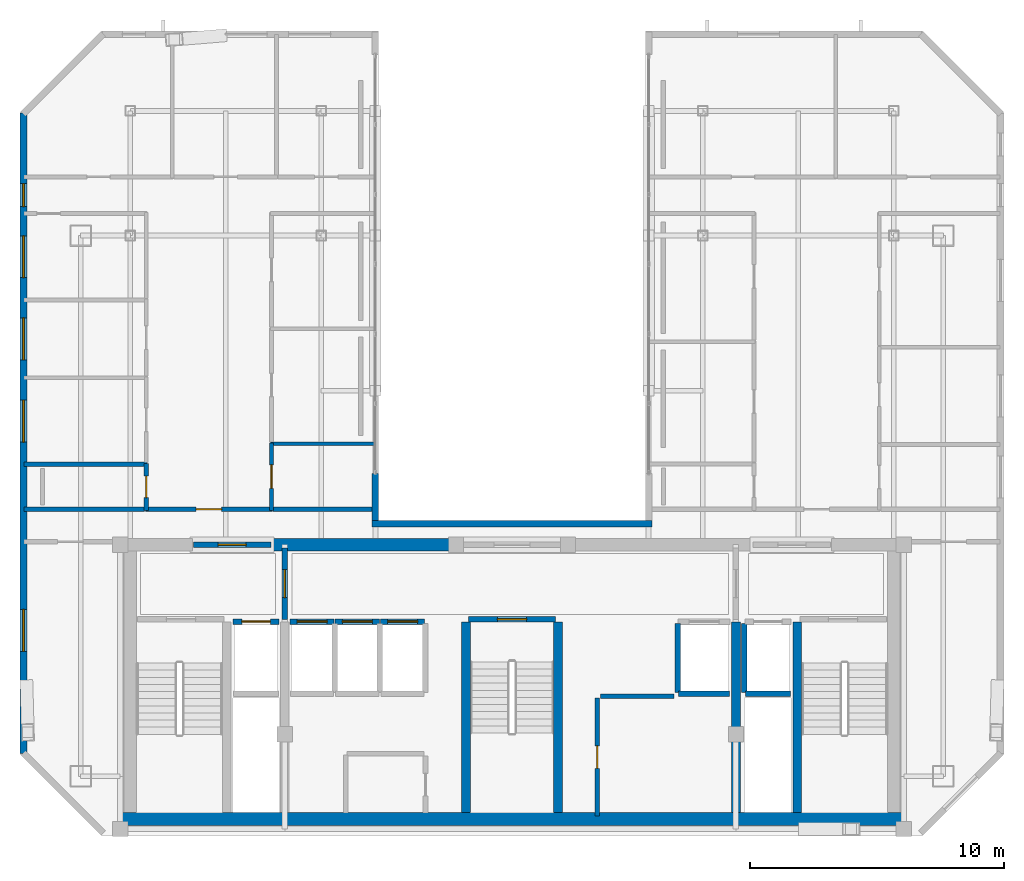
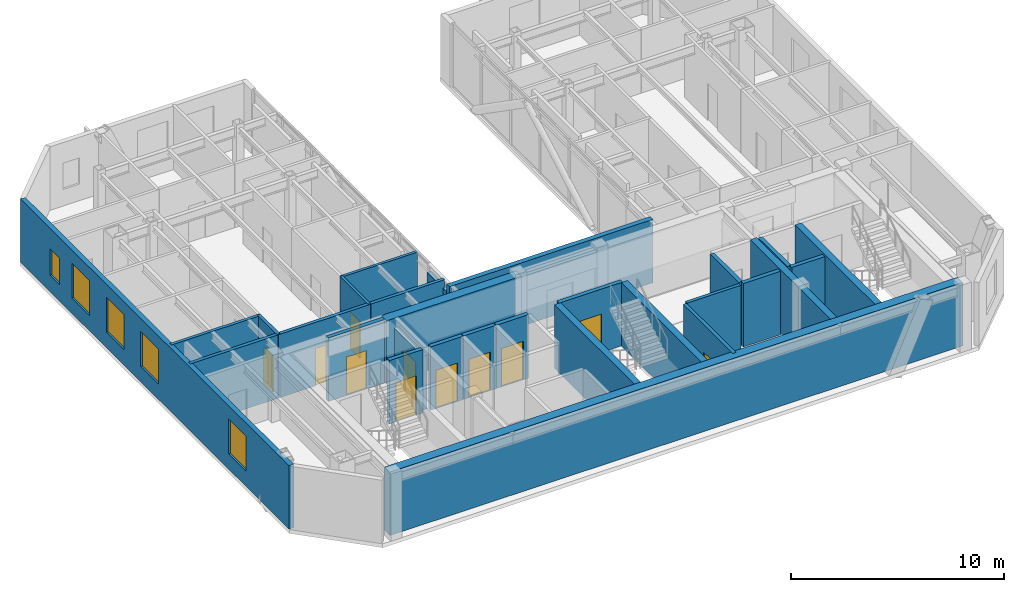
# One storey, part 14 of 18: 29 walls, 11 doors, 5 windows, 16 openings.
"""IFC4 building model written with IfcOpenShell, lengths in metres."""

from ifc_helpers import new_model, si_unit, direction, frame, frame_2d, origin, place, context, subcontext, project, spatial, rectangle, extrude, material, layer, layer_set, type_object, element, fill, save


model = new_model("IFC4")

# Units and contexts
model_context = context("Model", 3, precision=1e-05, world=origin(), true_north=direction((0.0, 1.0)))
body_context = subcontext(model_context, "Body", "Model", "MODEL_VIEW")
ifc_project = project(units=[si_unit("LENGTHUNIT", "METRE"), si_unit("AREAUNIT", "SQUARE_METRE"), si_unit("VOLUMEUNIT", "CUBIC_METRE"), si_unit("PLANEANGLEUNIT", "RADIAN"), si_unit("MASSUNIT", "GRAM", prefix="KILO")], contexts=[model_context])

# Site, building, storey
site_placement = place(None, origin())
site = spatial("IfcSite", under=ifc_project, at=site_placement, CompositionType="ELEMENT")
building_placement = place(site_placement, origin())
building = spatial("IfcBuilding", under=site, at=building_placement, Name="Ventersveld Concourse Tower", CompositionType="ELEMENT")
storey_placement = place(building_placement, frame((0.0, 0.0, 341.35009765625)))
storey = spatial("IfcBuildingStorey", under=building, at=storey_placement, Name="L84", CompositionType="ELEMENT", Elevation=341.35009765625)

# Walls
ifc_material_1 = material(Name="Concrete C50/60", Category="concrete")
ifc_layer_1 = layer(ifc_material_1, 0.35009765625)
ifc_layer_set_1 = layer_set([ifc_layer_1], Name="Concrete C50/60")
wall_type_1 = type_object("IfcWallType", Name="WL-CORE-350U", PredefinedType="SHEAR", material=ifc_layer_set_1)
for number, where, z_axis, x_axis, name in (
    (1, (26.93994140625, 0.919921875, 0.0), (0.0, 0.0, 1.0), (0.0, 1.0, 0.0), "L84 Core Internal Shear Web W-ST3-W"),
    (2, (30.56005859375, 0.919921875, 0.0), (0.0, 0.0, 1.0), (0.0, 1.0, 0.0), "L84 Core Internal Shear Web W-ST3-E"),
    (3, (37.550048828125, 0.919921875, 0.0), (0.0, 0.0, 1.0), (0.0, 1.0, 0.0), "L84 Core Internal Shear Web W-SVL-W"),
    (4, (39.9599609375, 0.919921875, 0.0), (0.0, 0.0, 1.0), (0.0, 1.0, 0.0), "L84 Core Internal Shear Web W-ST2-W"),
):
    element("IfcWall", number, at=place(storey_placement, frame(where, z_axis=z_axis, x_axis=x_axis)), inside=storey, type_object=wall_type_1, Name=name, PredefinedType="SHEAR", context=body_context, shape_type="SweptSolid", body=[
        extrude(rectangle(XDim=7.5, YDim=0.35009765625, at=frame_2d((3.75, 0.0))), origin(), (0.0, 0.0, 1.0), 3.6298828125),
    ])
ifc_layer_2 = layer(ifc_material_1, 0.5)
ifc_layer_set_2 = layer_set([ifc_layer_2], Name="Concrete C50/60")
wall_type_2 = type_object("IfcWallType", Name="WL-CORE-500", PredefinedType="SHEAR", material=ifc_layer_set_2)
wall_1_placement = place(storey_placement, frame((13.25, 0.669921875, 0.0), z_axis=(0.0, 0.0, 1.0), x_axis=(1.0, 0.0, 0.0)))
element("IfcWall", 5, at=wall_1_placement, inside=storey, type_object=wall_type_2, Name="L84 Rear Core South Shear Wall", PredefinedType="SHEAR", context=body_context, shape_type="SweptSolid", body=[
    extrude(rectangle(XDim=31.0, YDim=0.5, at=frame_2d((15.5, 0.0))), origin(), (0.0, 0.0, 1.0), 3.6298828125),
])
wall_2_placement = place(storey_placement, frame((19.300048828125, 11.449951171875, 0.0), z_axis=(0.0, 0.0, 1.0), x_axis=(1.0, 0.0, 0.0)))
element("IfcWall", 6, at=wall_2_placement, inside=storey, type_object=wall_type_2, Name="L84 Rear Core North Shear Wall NML", PredefinedType="SHEAR", context=body_context, shape_type="SweptSolid", body=[
    extrude(rectangle(XDim=7.300048828125, YDim=0.5, at=frame_2d((3.64990234375, 0.0))), origin(), (0.0, 0.0, 1.0), 3.6298828125),
])

# Wall, opening, door
ifc_material_2 = material(Name="Fire-rated autoclaved aerated masonry blockwork", Category="masonry")
ifc_layer_3 = layer(ifc_material_2, 0.179931640625)
ifc_layer_set_3 = layer_set([ifc_layer_3], Name="Fire-rated autoclaved aerated masonry blockwork")
wall_type_3 = type_object("IfcWallType", Name="WL-CORR-180", PredefinedType="PARTITIONING", material=ifc_layer_set_3)
wall_3_placement = place(storey_placement, frame((32.10009765625, 0.780029296875, 0.0), z_axis=(0.0, 0.0, 1.0), x_axis=(0.0, 1.0, 0.0)))
wall_3 = element("IfcWall", 7, at=wall_3_placement, inside=storey, type_object=wall_type_3, Name="L84 Core Passage Wall SP-L84-RECB2", PredefinedType="PARTITIONING", context=body_context, shape_type="SweptSolid", body=[
    extrude(rectangle(XDim=4.639892578125, YDim=0.179931640625, at=frame_2d((2.31982421875, 0.0))), origin(), (0.0, 0.0, 1.0), 3.6298828125),
])
opening_1_placement = place(wall_3_placement, frame((1.8798828125, 0.0, 0.0)))
opening_1 = element("IfcOpeningElement", 8, at=opening_1_placement, cuts=wall_3, Name="Opening FD5", PredefinedType="OPENING", context=body_context, shape_type="SweptSolid", body=[
    extrude(rectangle(XDim=0.8798828125, YDim=2.050048828125, at=frame_2d((0.43994140625, 1.02490234375))), frame((0.0, 0.10009765625, 0.0), z_axis=(0.0, -1.0, 0.0), x_axis=(1.0, 0.0, 0.0)), (0.0, 0.0, 1.0), 0.199951171875),
])
ifc_material_3 = material(Name="Galvanised painted steel", Category="steel")
door_type_1 = type_object("IfcDoorType", Name="DR-RISER-088", OperationType="NOTDEFINED", PredefinedType="DOOR", material=ifc_material_3)
door_1_placement = place(opening_1_placement, origin())
door_1 = element("IfcDoor", 9, at=door_1_placement, inside=storey, type_object=door_type_1, Name="L84 Core Room Door L84 Reclaimed Core Wellness Yoga Studio (CD-L84-3777)", OperationType="SINGLE_SWING_RIGHT", OverallHeight=2.050048828125, OverallWidth=0.8798828125, PredefinedType="DOOR", context=body_context, shape_type="SweptSolid", body=[
    extrude(rectangle(XDim=0.8798828125, YDim=2.050048828125, at=frame_2d((0.43994140625, 1.02490234375))), frame((0.0, 0.02490234375, 0.0), z_axis=(0.0, -1.0, 0.0), x_axis=(1.0, 0.0, 0.0)), (0.0, 0.0, 1.0), 0.050048828125),
])
fill(opening_1, door_1)

# Wall
wall_4_placement = place(storey_placement, frame((32.219970703125, 5.5, 0.0), z_axis=(0.0, 0.0, 1.0), x_axis=(1.0, 0.0, 0.0)))
element("IfcWall", 10, at=wall_4_placement, inside=storey, type_object=wall_type_3, Name="L84 Core Top Wall SP-L84-RECB2", PredefinedType="PARTITIONING", context=body_context, shape_type="SweptSolid", body=[
    extrude(rectangle(XDim=2.900146484375, YDim=0.179931640625, at=frame_2d((1.4501953125, 0.0))), origin(), (0.0, 0.0, 1.0), 3.6298828125),
])

# Wall, opening, door
wall_5_placement = place(storey_placement, frame((14.338623046875, 12.840087890625, 0.0), z_axis=(0.0, 0.0, 1.0), x_axis=(1.0, 0.0, 0.0)))
wall_5 = element("IfcWall", 11, at=wall_5_placement, inside=storey, type_object=wall_type_3, Name="L84 Interior Partition SP-L84-COR-W-SP-L84-84WA-LIV", PredefinedType="PARTITIONING", context=body_context, shape_type="SweptSolid", body=[
    extrude(rectangle(XDim=4.989990234375, YDim=0.179931640625, at=frame_2d((2.4951171875, 0.0))), origin(), (0.0, 0.0, 1.0), 3.6298828125),
])
opening_2_placement = place(wall_5_placement, frame((1.9951171875, 0.0, 0.0)))
opening_2 = element("IfcOpeningElement", 12, at=opening_2_placement, cuts=wall_5, Name="Opening FD3", PredefinedType="OPENING", context=body_context, shape_type="SweptSolid", body=[
    extrude(rectangle(XDim=1.0, YDim=2.14990234375, at=frame_2d((0.5, 1.074951171875))), frame((0.0, 0.10009765625, 0.0), z_axis=(0.0, -1.0, 0.0), x_axis=(1.0, 0.0, 0.0)), (0.0, 0.0, 1.0), 0.199951171875),
])
ifc_material_4 = material(Name="Solid-core hardwood veneer timber", Category="wood")
door_type_2 = type_object("IfcDoorType", Name="DR-FLAT-100", OperationType="NOTDEFINED", PredefinedType="DOOR", material=ifc_material_4)
door_2_placement = place(opening_2_placement, origin())
door_2 = element("IfcDoor", 13, at=door_2_placement, inside=storey, type_object=door_type_2, Name="L84 Interior Door SP-L84-COR-W to SP-L84-84WA-LIV (FD-L84-3779)", OperationType="SINGLE_SWING_LEFT", OverallHeight=2.14990234375, OverallWidth=1.0, PredefinedType="DOOR", context=body_context, shape_type="SweptSolid", body=[
    extrude(rectangle(XDim=1.0, YDim=2.14990234375, at=frame_2d((0.5, 1.074951171875))), frame((0.0, 0.02490234375, 0.0), z_axis=(0.0, -1.0, 0.0), x_axis=(1.0, 0.0, 0.0)), (0.0, 0.0, 1.0), 0.050048828125),
])
fill(opening_2, door_2)

# Walls
wall_6_placement = place(storey_placement, frame((9.569091796875, 12.840087890625, 0.0), z_axis=(0.0, 0.0, 1.0), x_axis=(1.0, 0.0, 0.0)))
element("IfcWall", 14, at=wall_6_placement, inside=storey, type_object=wall_type_3, Name="L84 Interior Partition SP-L84-COR-W-SP-L84-84WA-BATH", PredefinedType="PARTITIONING", context=body_context, shape_type="SweptSolid", body=[
    extrude(rectangle(XDim=4.739501953125, YDim=0.179931640625, at=frame_2d((2.36962890625, 0.0))), origin(), (0.0, 0.0, 1.0), 3.6298828125),
])
wall_7_placement = place(storey_placement, frame((19.358642578125, 12.840087890625, 0.0), z_axis=(0.0, 0.0, 1.0), x_axis=(1.0, 0.0, 0.0)))
element("IfcWall", 15, at=wall_7_placement, inside=storey, type_object=wall_type_3, Name="L84 Interior Partition SP-L84-COR-W-SP-L84-84WA-KIT", PredefinedType="PARTITIONING", context=body_context, shape_type="SweptSolid", body=[
    extrude(rectangle(XDim=3.991943359375, YDim=0.179931640625, at=frame_2d((1.99609375, 0.0))), origin(), (0.0, 0.0, 1.0), 3.6298828125),
])

# Wall, opening, door
ifc_layer_4 = layer(ifc_material_2, 0.219970703125)
ifc_layer_set_4 = layer_set([ifc_layer_4], Name="Fire-rated autoclaved aerated masonry blockwork")
wall_type_4 = type_object("IfcWallType", Name="WL-HOIST-220", PredefinedType="SOLIDWALL", material=ifc_layer_set_4)
wall_8_placement = place(storey_placement, frame((17.780029296875, 8.429931640625, 0.0), z_axis=(0.0, 0.0, 1.0), x_axis=(1.0, 0.0, 0.0)))
wall_8 = element("IfcWall", 16, at=wall_8_placement, inside=storey, type_object=wall_type_4, Name="L84 Lift Hoistway Front Wall FFL-01", PredefinedType="SOLIDWALL", context=body_context, shape_type="SweptSolid", body=[
    extrude(rectangle(XDim=1.820068359375, YDim=0.219970703125, at=frame_2d((0.91015625, 0.0))), origin(), (0.0, 0.0, 1.0), 3.6298828125),
])
opening_3_placement = place(wall_8_placement, frame((0.35009765625, 0.0, 0.0)))
opening_3 = element("IfcOpeningElement", 17, at=opening_3_placement, cuts=wall_8, Name="Opening LD1", PredefinedType="OPENING", context=body_context, shape_type="SweptSolid", body=[
    extrude(rectangle(XDim=1.1201171875, YDim=2.25, at=frame_2d((0.56005859375, 1.125))), frame((0.0, 0.1201171875, 0.0), z_axis=(0.0, -1.0, 0.0), x_axis=(1.0, 0.0, 0.0)), (0.0, 0.0, 1.0), 0.239990234375),
])
ifc_material_5 = material(Name="Brushed stainless steel 316", Category="steel")
door_type_3 = type_object("IfcDoorType", Name="LD-FF-112", OperationType="SLIDING_TO_LEFT", PredefinedType="DOOR", material=ifc_material_5)
door_3_placement = place(opening_3_placement, origin())
door_3 = element("IfcDoor", 18, at=door_3_placement, inside=storey, type_object=door_type_3, Name="L84 Lift landing door FFL-01 (LD-L84-FFL-01)", OperationType="SLIDING_TO_RIGHT", OverallHeight=2.25, OverallWidth=1.1201171875, PredefinedType="DOOR", context=body_context, shape_type="SweptSolid", body=[
    extrude(rectangle(XDim=1.1201171875, YDim=2.25, at=frame_2d((0.56005859375, 1.125))), frame((0.0, 0.02490234375, 0.0), z_axis=(0.0, -1.0, 0.0), x_axis=(1.0, 0.0, 0.0)), (0.0, 0.0, 1.0), 0.050048828125),
])
fill(opening_3, door_3)

# Walls
wall_9_placement = place(storey_placement, frame((37.919921875, 5.590087890625, 0.0), z_axis=(0.0, 0.0, 1.0), x_axis=(1.0, 0.0, 0.0)))
element("IfcWall", 19, at=wall_9_placement, inside=storey, type_object=wall_type_4, Name="L84 Lift Hoistway Back Wall FFL-02", PredefinedType="SOLIDWALL", context=body_context, shape_type="SweptSolid", body=[
    extrude(rectangle(XDim=1.780029296875, YDim=0.219970703125, at=frame_2d((0.89013671875, 0.0))), origin(), (0.0, 0.0, 1.0), 3.6298828125),
])
wall_10_placement = place(storey_placement, frame((37.8798828125, 5.64990234375, 0.0), z_axis=(0.0, 0.0, 1.0), x_axis=(0.0, 1.0, 0.0)))
element("IfcWall", 20, at=wall_10_placement, inside=storey, type_object=wall_type_4, Name="L84 Lift Hoistway Side Wall FFL-02W", PredefinedType="SOLIDWALL", context=body_context, shape_type="SweptSolid", body=[
    extrude(rectangle(XDim=2.7001953125, YDim=0.219970703125, at=frame_2d((1.35009765625, 0.0))), origin(), (0.0, 0.0, 1.0), 3.6298828125),
])
wall_11_placement = place(storey_placement, frame((35.300048828125, 5.590087890625, 0.0), z_axis=(0.0, 0.0, 1.0), x_axis=(1.0, 0.0, 0.0)))
element("IfcWall", 21, at=wall_11_placement, inside=storey, type_object=wall_type_4, Name="L84 Lift Hoistway Back Wall SVL-01", PredefinedType="SOLIDWALL", context=body_context, shape_type="SweptSolid", body=[
    extrude(rectangle(XDim=2.0, YDim=0.219970703125, at=frame_2d((1.0, 0.0))), origin(), (0.0, 0.0, 1.0), 3.6298828125),
])
wall_12_placement = place(storey_placement, frame((35.260009765625, 5.64990234375, 0.0), z_axis=(0.0, 0.0, 1.0), x_axis=(0.0, 1.0, 0.0)))
element("IfcWall", 22, at=wall_12_placement, inside=storey, type_object=wall_type_4, Name="L84 Lift Hoistway Side Wall SVL-01W", PredefinedType="SOLIDWALL", context=body_context, shape_type="SweptSolid", body=[
    extrude(rectangle(XDim=2.7001953125, YDim=0.219970703125, at=frame_2d((1.35009765625, 0.0))), origin(), (0.0, 0.0, 1.0), 3.6298828125),
])

# Wall, opening, door
wall_13_placement = place(storey_placement, frame((20.02001953125, 8.429931640625, 0.0), z_axis=(0.0, 0.0, 1.0), x_axis=(1.0, 0.0, 0.0)))
wall_13 = element("IfcWall", 23, at=wall_13_placement, inside=storey, type_object=wall_type_4, Name="L84 Lift Hoistway Front Wall PH-01", PredefinedType="SOLIDWALL", context=body_context, shape_type="SweptSolid", body=[
    extrude(rectangle(XDim=1.739990234375, YDim=0.219970703125, at=frame_2d((0.8701171875, 0.0))), origin(), (0.0, 0.0, 1.0), 3.6298828125),
])
opening_4_placement = place(wall_13_placement, frame((0.280029296875, 0.0, 0.0)))
opening_4 = element("IfcOpeningElement", 24, at=opening_4_placement, cuts=wall_13, Name="Opening LD2", PredefinedType="OPENING", context=body_context, shape_type="SweptSolid", body=[
    extrude(rectangle(XDim=1.179931640625, YDim=2.199951171875, at=frame_2d((0.58984375, 1.10009765625))), frame((0.0, 0.1201171875, 0.0), z_axis=(0.0, -1.0, 0.0), x_axis=(1.0, 0.0, 0.0)), (0.0, 0.0, 1.0), 0.239990234375),
])
door_type_4 = type_object("IfcDoorType", Name="LD-PAX-118", OperationType="SLIDING_TO_LEFT", PredefinedType="DOOR", material=ifc_material_5)
door_4_placement = place(opening_4_placement, origin())
door_4 = element("IfcDoor", 25, at=door_4_placement, inside=storey, type_object=door_type_4, Name="L84 Lift landing door PH-01 (LD-L84-PH-01)", OperationType="SLIDING_TO_LEFT", OverallHeight=2.199951171875, OverallWidth=1.179931640625, PredefinedType="DOOR", context=body_context, shape_type="SweptSolid", body=[
    extrude(rectangle(XDim=1.179931640625, YDim=2.199951171875, at=frame_2d((0.58984375, 1.10009765625))), frame((0.0, 0.02490234375, 0.0), z_axis=(0.0, -1.0, 0.0), x_axis=(1.0, 0.0, 0.0)), (0.0, 0.0, 1.0), 0.050048828125),
])
fill(opening_4, door_4)

wall_14_placement = place(storey_placement, frame((21.800048828125, 8.429931640625, 0.0), z_axis=(0.0, 0.0, 1.0), x_axis=(1.0, 0.0, 0.0)))
wall_14 = element("IfcWall", 26, at=wall_14_placement, inside=storey, type_object=wall_type_4, Name="L84 Lift Hoistway Front Wall PH-02", PredefinedType="SOLIDWALL", context=body_context, shape_type="SweptSolid", body=[
    extrude(rectangle(XDim=1.739990234375, YDim=0.219970703125, at=frame_2d((0.8701171875, 0.0))), origin(), (0.0, 0.0, 1.0), 3.6298828125),
])
opening_5_placement = place(wall_14_placement, frame((0.280029296875, 0.0, 0.0)))
opening_5 = element("IfcOpeningElement", 27, at=opening_5_placement, cuts=wall_14, Name="Opening LD2", PredefinedType="OPENING", context=body_context, shape_type="SweptSolid", body=[
    extrude(rectangle(XDim=1.179931640625, YDim=2.199951171875, at=frame_2d((0.58984375, 1.10009765625))), frame((0.0, 0.1201171875, 0.0), z_axis=(0.0, -1.0, 0.0), x_axis=(1.0, 0.0, 0.0)), (0.0, 0.0, 1.0), 0.239990234375),
])
door_5_placement = place(opening_5_placement, origin())
door_5 = element("IfcDoor", 28, at=door_5_placement, inside=storey, type_object=door_type_4, Name="L84 Lift landing door PH-02 (LD-L84-PH-02)", OperationType="SLIDING_TO_RIGHT", OverallHeight=2.199951171875, OverallWidth=1.179931640625, PredefinedType="DOOR", context=body_context, shape_type="SweptSolid", body=[
    extrude(rectangle(XDim=1.179931640625, YDim=2.199951171875, at=frame_2d((0.58984375, 1.10009765625))), frame((0.0, 0.02490234375, 0.0), z_axis=(0.0, -1.0, 0.0), x_axis=(1.0, 0.0, 0.0)), (0.0, 0.0, 1.0), 0.050048828125),
])
fill(opening_5, door_5)

wall_15_placement = place(storey_placement, frame((23.580078125, 8.429931640625, 0.0), z_axis=(0.0, 0.0, 1.0), x_axis=(1.0, 0.0, 0.0)))
wall_15 = element("IfcWall", 29, at=wall_15_placement, inside=storey, type_object=wall_type_4, Name="L84 Lift Hoistway Front Wall PH-03", PredefinedType="SOLIDWALL", context=body_context, shape_type="SweptSolid", body=[
    extrude(rectangle(XDim=1.739990234375, YDim=0.219970703125, at=frame_2d((0.8701171875, 0.0))), origin(), (0.0, 0.0, 1.0), 3.6298828125),
])
opening_6_placement = place(wall_15_placement, frame((0.280029296875, 0.0, 0.0)))
opening_6 = element("IfcOpeningElement", 30, at=opening_6_placement, cuts=wall_15, Name="Opening LD2", PredefinedType="OPENING", context=body_context, shape_type="SweptSolid", body=[
    extrude(rectangle(XDim=1.179931640625, YDim=2.199951171875, at=frame_2d((0.58984375, 1.10009765625))), frame((0.0, 0.1201171875, 0.0), z_axis=(0.0, -1.0, 0.0), x_axis=(1.0, 0.0, 0.0)), (0.0, 0.0, 1.0), 0.239990234375),
])
door_6_placement = place(opening_6_placement, origin())
door_6 = element("IfcDoor", 31, at=door_6_placement, inside=storey, type_object=door_type_4, Name="L84 Lift landing door PH-03 (LD-L84-PH-03)", OperationType="SLIDING_TO_LEFT", OverallHeight=2.199951171875, OverallWidth=1.179931640625, PredefinedType="DOOR", context=body_context, shape_type="SweptSolid", body=[
    extrude(rectangle(XDim=1.179931640625, YDim=2.199951171875, at=frame_2d((0.58984375, 1.10009765625))), frame((0.0, 0.02490234375, 0.0), z_axis=(0.0, -1.0, 0.0), x_axis=(1.0, 0.0, 0.0)), (0.0, 0.0, 1.0), 0.050048828125),
])
fill(opening_6, door_6)

wall_16_placement = place(storey_placement, frame((27.0400390625, 8.52001953125, 0.0), z_axis=(0.0, 0.0, 1.0), x_axis=(1.0, 0.0, 0.0)))
wall_16 = element("IfcWall", 32, at=wall_16_placement, inside=storey, type_object=wall_type_4, Name="L84 Escape Stair ST03 Fire Wall", PredefinedType="SOLIDWALL", context=body_context, shape_type="SweptSolid", body=[
    extrude(rectangle(XDim=3.419921875, YDim=0.219970703125, at=frame_2d((1.7099609375, 0.0))), origin(), (0.0, 0.0, 1.0), 3.6298828125),
])
opening_7_placement = place(wall_16_placement, frame((1.135009765625, 0.0, 0.0)))
opening_7 = element("IfcOpeningElement", 33, at=opening_7_placement, cuts=wall_16, Name="Opening FD1", PredefinedType="OPENING", context=body_context, shape_type="SweptSolid", body=[
    extrude(rectangle(XDim=1.14990234375, YDim=2.199951171875, at=frame_2d((0.574951171875, 1.10009765625))), frame((0.0, 0.1201171875, 0.0), z_axis=(0.0, -1.0, 0.0), x_axis=(1.0, 0.0, 0.0)), (0.0, 0.0, 1.0), 0.239990234375),
])
door_type_5 = type_object("IfcDoorType", Name="DR-STAIR-115", OperationType="NOTDEFINED", PredefinedType="DOOR", material=ifc_material_3)
door_7_placement = place(opening_7_placement, origin())
door_7 = element("IfcDoor", 34, at=door_7_placement, inside=storey, type_object=door_type_5, Name="L84 Escape Stair Door ST03 (SD-L84-3770)", OperationType="SINGLE_SWING_LEFT", OverallHeight=2.199951171875, OverallWidth=1.14990234375, PredefinedType="DOOR", context=body_context, shape_type="SweptSolid", body=[
    extrude(rectangle(XDim=1.14990234375, YDim=2.199951171875, at=frame_2d((0.574951171875, 1.10009765625))), frame((0.0, 0.02490234375, 0.0), z_axis=(0.0, -1.0, 0.0), x_axis=(1.0, 0.0, 0.0)), (0.0, 0.0, 1.0), 0.050048828125),
])
fill(opening_7, door_7)

wall_17_placement = place(storey_placement, frame((19.820068359375, 8.52001953125, 0.0), z_axis=(0.0, 0.0, 1.0), x_axis=(0.0, 1.0, 0.0)))
wall_17 = element("IfcWall", 35, at=wall_17_placement, inside=storey, type_object=wall_type_4, Name="L84 Firefighting Lobby Smoke-Stop Wall FFLW-SEP", PredefinedType="SOLIDWALL", context=body_context, shape_type="SweptSolid", body=[
    extrude(rectangle(XDim=2.800048828125, YDim=0.219970703125, at=frame_2d((1.39990234375, 0.0))), origin(), (0.0, 0.0, 1.0), 3.08544921875),
])
opening_8_placement = place(wall_17_placement, frame((0.85009765625, 0.0, 0.0)))
opening_8 = element("IfcOpeningElement", 36, at=opening_8_placement, cuts=wall_17, Name="Opening FD2", PredefinedType="OPENING", context=body_context, shape_type="SweptSolid", body=[
    extrude(rectangle(XDim=1.10009765625, YDim=2.199951171875, at=frame_2d((0.550048828125, 1.10009765625))), frame((0.0, 0.1201171875, 0.0), z_axis=(0.0, -1.0, 0.0), x_axis=(1.0, 0.0, 0.0)), (0.0, 0.0, 1.0), 0.239990234375),
])
door_type_6 = type_object("IfcDoorType", Name="DR-FFL-110", OperationType="NOTDEFINED", PredefinedType="DOOR", material=ifc_material_3)
door_8_placement = place(opening_8_placement, origin())
door_8 = element("IfcDoor", 37, at=door_8_placement, inside=storey, type_object=door_type_6, Name="L84 Firefighting Lobby Door FFLW-SEP (FD-L84-3771)", OperationType="SINGLE_SWING_LEFT", OverallHeight=2.199951171875, OverallWidth=1.10009765625, PredefinedType="DOOR", context=body_context, shape_type="SweptSolid", body=[
    extrude(rectangle(XDim=1.10009765625, YDim=2.199951171875, at=frame_2d((0.550048828125, 1.10009765625))), frame((0.0, 0.02490234375, 0.0), z_axis=(0.0, -1.0, 0.0), x_axis=(1.0, 0.0, 0.0)), (0.0, 0.0, 1.0), 0.050048828125),
])
fill(opening_8, door_8)

wall_18_placement = place(storey_placement, frame((16.22998046875, 11.449951171875, 0.0), z_axis=(0.0, 0.0, 1.0), x_axis=(1.0, 0.0, 0.0)))
wall_18 = element("IfcWall", 38, at=wall_18_placement, inside=storey, type_object=wall_type_4, Name="L84 Core North Fire Portal FFLW-OUT", PredefinedType="SOLIDWALL", context=body_context, shape_type="SweptSolid", body=[
    extrude(rectangle(XDim=3.0400390625, YDim=0.219970703125, at=frame_2d((1.52001953125, 0.0))), origin(), (0.0, 0.0, 1.0), 3.6298828125),
])
opening_9_placement = place(wall_18_placement, frame((0.969970703125, 0.0, 0.0)))
opening_9 = element("IfcOpeningElement", 39, at=opening_9_placement, cuts=wall_18, Name="Opening FD2", PredefinedType="OPENING", context=body_context, shape_type="SweptSolid", body=[
    extrude(rectangle(XDim=1.10009765625, YDim=2.199951171875, at=frame_2d((0.550048828125, 1.10009765625))), frame((0.0, 0.1201171875, 0.0), z_axis=(0.0, -1.0, 0.0), x_axis=(1.0, 0.0, 0.0)), (0.0, 0.0, 1.0), 0.239990234375),
])
door_9_placement = place(opening_9_placement, origin())
door_9 = element("IfcDoor", 40, at=door_9_placement, inside=storey, type_object=door_type_6, Name="L84 Core Lobby Fire Door FFLW-OUT (FD-L84-3773)", OperationType="SINGLE_SWING_RIGHT", OverallHeight=2.199951171875, OverallWidth=1.10009765625, PredefinedType="DOOR", context=body_context, shape_type="SweptSolid", body=[
    extrude(rectangle(XDim=1.10009765625, YDim=2.199951171875, at=frame_2d((0.550048828125, 1.10009765625))), frame((0.0, 0.02490234375, 0.0), z_axis=(0.0, -1.0, 0.0), x_axis=(1.0, 0.0, 0.0)), (0.0, 0.0, 1.0), 0.050048828125),
])
fill(opening_9, door_9)

ifc_material_6 = material(Name="Autoclaved aerated masonry blockwork", Category="masonry")
ifc_layer_5 = layer(ifc_material_6, 0.14990234375)
ifc_layer_set_5 = layer_set([ifc_layer_5], Name="Autoclaved aerated masonry blockwork")
wall_type_5 = type_object("IfcWallType", Name="WL-INT-150", PredefinedType="PARTITIONING", material=ifc_layer_set_5)
wall_19_placement = place(storey_placement, frame((19.293701171875, 12.804931640625, 0.0), z_axis=(0.0, 0.0, 1.0), x_axis=(0.0, 1.0, 0.0)))
wall_19 = element("IfcWall", 41, at=wall_19_placement, inside=storey, type_object=wall_type_5, Name="L84 Interior Partition SP-L84-84WA-LIV-SP-L84-84WA-KIT", PredefinedType="PARTITIONING", context=body_context, shape_type="SweptSolid", body=[
    extrude(rectangle(XDim=2.647705078125, YDim=0.14990234375, at=frame_2d((1.32373046875, 0.0))), origin(), (0.0, 0.0, 1.0), 3.6298828125),
])
opening_10_placement = place(wall_19_placement, frame((0.86376953125, 0.0, 0.0)))
opening_10 = element("IfcOpeningElement", 42, at=opening_10_placement, cuts=wall_19, Name="Opening ID1", PredefinedType="OPENING", context=body_context, shape_type="SweptSolid", body=[
    extrude(rectangle(XDim=0.919921875, YDim=2.10009765625, at=frame_2d((0.4599609375, 1.050048828125))), frame((0.0, 0.0849609375, 0.0), z_axis=(0.0, -1.0, 0.0), x_axis=(1.0, 0.0, 0.0)), (0.0, 0.0, 1.0), 0.169921875),
])
door_type_7 = type_object("IfcDoorType", Name="DR-ROOM-092", OperationType="NOTDEFINED", PredefinedType="DOOR", material=ifc_material_4)
door_10_placement = place(opening_10_placement, origin())
door_10 = element("IfcDoor", 43, at=door_10_placement, inside=storey, type_object=door_type_7, Name="L84 Interior Door SP-L84-84WA-LIV to SP-L84-84WA-KIT (D-L84-3786)", OperationType="SINGLE_SWING_RIGHT", OverallHeight=2.10009765625, OverallWidth=0.919921875, PredefinedType="DOOR", context=body_context, shape_type="SweptSolid", body=[
    extrude(rectangle(XDim=0.919921875, YDim=2.10009765625, at=frame_2d((0.4599609375, 1.050048828125))), frame((0.0, 0.02490234375, 0.0), z_axis=(0.0, -1.0, 0.0), x_axis=(1.0, 0.0, 0.0)), (0.0, 0.0, 1.0), 0.050048828125),
])
fill(opening_10, door_10)

# Walls
wall_20_placement = place(storey_placement, frame((19.2587890625, 15.41748046875, 0.0), z_axis=(0.0, 0.0, 1.0), x_axis=(1.0, 0.0, 0.0)))
element("IfcWall", 44, at=wall_20_placement, inside=storey, type_object=wall_type_5, Name="L84 Interior Partition SP-L84-84WA-KIT-SP-L84-84WA-OFFR1", PredefinedType="PARTITIONING", context=body_context, shape_type="SweptSolid", body=[
    extrude(rectangle(XDim=4.09326171875, YDim=0.14990234375, at=frame_2d((2.046630859375, 0.0))), origin(), (0.0, 0.0, 1.0), 3.6298828125),
])
ifc_material_7 = material(Name="Precast concrete C45/55", Category="concrete")
ifc_layer_6 = layer(ifc_material_7, 0.260009765625)
ifc_layer_set_6 = layer_set([ifc_layer_6], Name="Precast concrete C45/55")
wall_type_6 = type_object("IfcWallType", Name="WL-PREC-260", PredefinedType="SOLIDWALL", material=ifc_layer_set_6)
wall_21_placement = place(storey_placement, frame((34.260009765625, 12.27001953125, 0.0), z_axis=(0.0, 0.0, 1.0), x_axis=(-1.0, 0.0, 0.0)))
element("IfcWall", 45, at=wall_21_placement, inside=storey, type_object=wall_type_6, Name="L84 Highveld Precast Facade Wall E07", PredefinedType="SOLIDWALL", context=body_context, shape_type="SweptSolid", body=[
    extrude(rectangle(XDim=11.02001953125, YDim=0.260009765625, at=frame_2d((5.510009765625, 0.0))), origin(), (0.0, 0.0, 1.0), 3.6298828125),
])
wall_22_placement = place(storey_placement, frame((23.3701171875, 12.39990234375, 0.0), z_axis=(0.0, 0.0, 1.0), x_axis=(0.0, 1.0, 0.0)))
element("IfcWall", 46, at=wall_22_placement, inside=storey, type_object=wall_type_6, Name="L84 Wind Portal South Cheek Pier", PredefinedType="SOLIDWALL", context=body_context, shape_type="SweptSolid", body=[
    extrude(rectangle(XDim=1.85009765625, YDim=0.260009765625, at=frame_2d((0.925048828125, 0.0))), origin(), (0.0, 0.0, 1.0), 3.169921875),
])

# Wall, openings, windows
wall_23_placement = place(storey_placement, frame((9.549560546875, 28.408203125, 0.0), z_axis=(0.0, 0.0, 1.0), x_axis=(0.0, -1.0, 0.0)))
wall_23 = element("IfcWall", 47, at=wall_23_placement, inside=storey, type_object=wall_type_6, Name="L84 Highveld Precast Facade Wall E11", PredefinedType="SOLIDWALL", context=body_context, shape_type="SweptSolid", body=[
    extrude(rectangle(XDim=25.168212890625, YDim=0.260009765625, at=frame_2d((12.583984375, 0.0))), origin(), (0.0, 0.0, 1.0), 3.6298828125),
])
opening_11_placement = place(wall_23_placement, frame((19.5029296875, 0.0, 0.8798828125)))
opening_11 = element("IfcOpeningElement", 48, at=opening_11_placement, cuts=wall_23, Name="Opening W6", PredefinedType="OPENING", context=body_context, shape_type="SweptSolid", body=[
    extrude(rectangle(XDim=1.64990234375, YDim=2.0, at=frame_2d((0.824951171875, 1.0))), frame((0.0, 0.14013671875, 0.0), z_axis=(0.0, -1.0, 0.0), x_axis=(1.0, 0.0, 0.0)), (0.0, 0.0, 1.0), 0.280029296875),
])
opening_12_placement = place(wall_23_placement, frame((2.77001953125, 0.0, 0.949951171875)))
opening_12 = element("IfcOpeningElement", 49, at=opening_12_placement, cuts=wall_23, Name="Opening W4", PredefinedType="OPENING", context=body_context, shape_type="SweptSolid", body=[
    extrude(rectangle(XDim=0.89990234375, YDim=1.5, at=frame_2d((0.449951171875, 0.75))), frame((0.0, 0.14013671875, 0.0), z_axis=(0.0, -1.0, 0.0), x_axis=(1.0, 0.0, 0.0)), (0.0, 0.0, 1.0), 0.280029296875),
])
opening_13_placement = place(wall_23_placement, frame((11.273681640625, 0.0, 0.8798828125)))
opening_13 = element("IfcOpeningElement", 50, at=opening_13_placement, cuts=wall_23, Name="Opening W6", PredefinedType="OPENING", context=body_context, shape_type="SweptSolid", body=[
    extrude(rectangle(XDim=1.64990234375, YDim=2.0, at=frame_2d((0.824951171875, 1.0))), frame((0.0, 0.14013671875, 0.0), z_axis=(0.0, -1.0, 0.0), x_axis=(1.0, 0.0, 0.0)), (0.0, 0.0, 1.0), 0.280029296875),
])
opening_14_placement = place(wall_23_placement, frame((8.044189453125, 0.0, 0.8798828125)))
opening_14 = element("IfcOpeningElement", 51, at=opening_14_placement, cuts=wall_23, Name="Opening W6", PredefinedType="OPENING", context=body_context, shape_type="SweptSolid", body=[
    extrude(rectangle(XDim=1.64990234375, YDim=2.0, at=frame_2d((0.824951171875, 1.0))), frame((0.0, 0.14013671875, 0.0), z_axis=(0.0, -1.0, 0.0), x_axis=(1.0, 0.0, 0.0)), (0.0, 0.0, 1.0), 0.280029296875),
])
opening_15_placement = place(wall_23_placement, frame((4.814697265625, 0.0, 0.8798828125)))
opening_15 = element("IfcOpeningElement", 52, at=opening_15_placement, cuts=wall_23, Name="Opening W6", PredefinedType="OPENING", context=body_context, shape_type="SweptSolid", body=[
    extrude(rectangle(XDim=1.64990234375, YDim=2.0, at=frame_2d((0.824951171875, 1.0))), frame((0.0, 0.14013671875, 0.0), z_axis=(0.0, -1.0, 0.0), x_axis=(1.0, 0.0, 0.0)), (0.0, 0.0, 1.0), 0.280029296875),
])
ifc_material_8 = material(Name="Tempered acoustic Low-E IGU", Category="glass")
window_type_1 = type_object("IfcWindowType", Name="WIN-090x150", PartitioningType="SINGLE_PANEL", PredefinedType="WINDOW", material=ifc_material_8)
window_1_placement = place(opening_12_placement, origin())
window_1 = element("IfcWindow", 53, at=window_1_placement, inside=storey, type_object=window_type_1, Name="L84 Punched Low-E Window W-1176", OverallHeight=1.5, OverallWidth=0.89990234375, PartitioningType="SINGLE_PANEL", PredefinedType="WINDOW", context=body_context, shape_type="SweptSolid", body=[
    extrude(rectangle(XDim=0.89990234375, YDim=1.5, at=frame_2d((0.449951171875, 0.75))), frame((0.0, 0.030029296875, 0.0), z_axis=(0.0, -1.0, 0.0), x_axis=(1.0, 0.0, 0.0)), (0.0, 0.0, 1.0), 0.06005859375),
])
fill(opening_12, window_1)
window_type_2 = type_object("IfcWindowType", Name="WIN-165x200", PartitioningType="SINGLE_PANEL", PredefinedType="WINDOW", material=ifc_material_8)
window_2_placement = place(opening_11_placement, origin())
window_2 = element("IfcWindow", 54, at=window_2_placement, inside=storey, type_object=window_type_2, Name="L84 Punched Low-E Window W-1174", OverallHeight=2.0, OverallWidth=1.64990234375, PartitioningType="SINGLE_PANEL", PredefinedType="WINDOW", context=body_context, shape_type="SweptSolid", body=[
    extrude(rectangle(XDim=1.64990234375, YDim=2.0, at=frame_2d((0.824951171875, 1.0))), frame((0.0, 0.030029296875, 0.0), z_axis=(0.0, -1.0, 0.0), x_axis=(1.0, 0.0, 0.0)), (0.0, 0.0, 1.0), 0.06005859375),
])
fill(opening_11, window_2)
window_3_placement = place(opening_13_placement, origin())
window_3 = element("IfcWindow", 55, at=window_3_placement, inside=storey, type_object=window_type_2, Name="L84 Punched Low-E Window W-1177", OverallHeight=2.0, OverallWidth=1.64990234375, PartitioningType="SINGLE_PANEL", PredefinedType="WINDOW", context=body_context, shape_type="SweptSolid", body=[
    extrude(rectangle(XDim=1.64990234375, YDim=2.0, at=frame_2d((0.824951171875, 1.0))), frame((0.0, 0.030029296875, 0.0), z_axis=(0.0, -1.0, 0.0), x_axis=(1.0, 0.0, 0.0)), (0.0, 0.0, 1.0), 0.06005859375),
])
fill(opening_13, window_3)
window_4_placement = place(opening_14_placement, origin())
window_4 = element("IfcWindow", 56, at=window_4_placement, inside=storey, type_object=window_type_2, Name="L84 Punched Low-E Window W-1178", OverallHeight=2.0, OverallWidth=1.64990234375, PartitioningType="SINGLE_PANEL", PredefinedType="WINDOW", context=body_context, shape_type="SweptSolid", body=[
    extrude(rectangle(XDim=1.64990234375, YDim=2.0, at=frame_2d((0.824951171875, 1.0))), frame((0.0, 0.030029296875, 0.0), z_axis=(0.0, -1.0, 0.0), x_axis=(1.0, 0.0, 0.0)), (0.0, 0.0, 1.0), 0.06005859375),
])
fill(opening_14, window_4)
window_5_placement = place(opening_15_placement, origin())
window_5 = element("IfcWindow", 57, at=window_5_placement, inside=storey, type_object=window_type_2, Name="L84 Punched Low-E Window W-1179", OverallHeight=2.0, OverallWidth=1.64990234375, PartitioningType="SINGLE_PANEL", PredefinedType="WINDOW", context=body_context, shape_type="SweptSolid", body=[
    extrude(rectangle(XDim=1.64990234375, YDim=2.0, at=frame_2d((0.824951171875, 1.0))), frame((0.0, 0.030029296875, 0.0), z_axis=(0.0, -1.0, 0.0), x_axis=(1.0, 0.0, 0.0)), (0.0, 0.0, 1.0), 0.06005859375),
])
fill(opening_15, window_5)

# Wall, opening, door
ifc_layer_7 = layer(ifc_material_6, 0.1650390625)
ifc_layer_set_7 = layer_set([ifc_layer_7], Name="Autoclaved aerated masonry blockwork")
wall_type_7 = type_object("IfcWallType", Name="WL-WET-165", PredefinedType="PLUMBINGWALL", material=ifc_layer_set_7)
wall_24_placement = place(storey_placement, frame((14.373779296875, 12.804931640625, 0.0), z_axis=(0.0, 0.0, 1.0), x_axis=(0.0, 1.0, 0.0)))
wall_24 = element("IfcWall", 58, at=wall_24_placement, inside=storey, type_object=wall_type_7, Name="L84 Interior Partition SP-L84-84WA-LIV-SP-L84-84WA-BATH", PredefinedType="PLUMBINGWALL", context=body_context, shape_type="SweptSolid", body=[
    extrude(rectangle(XDim=1.840087890625, YDim=0.1650390625, at=frame_2d((0.919921875, 0.0))), origin(), (0.0, 0.0, 1.0), 3.6298828125),
])
opening_16_placement = place(wall_24_placement, frame((0.4951171875, 0.0, 0.0)))
opening_16 = element("IfcOpeningElement", 59, at=opening_16_placement, cuts=wall_24, Name="Opening ID2", PredefinedType="OPENING", context=body_context, shape_type="SweptSolid", body=[
    extrude(rectangle(XDim=0.85009765625, YDim=2.10009765625, at=frame_2d((0.425048828125, 1.050048828125))), frame((0.0, 0.092529296875, 0.0), z_axis=(0.0, -1.0, 0.0), x_axis=(1.0, 0.0, 0.0)), (0.0, 0.0, 1.0), 0.18505859375),
])
door_type_8 = type_object("IfcDoorType", Name="DR-BATH-085", OperationType="NOTDEFINED", PredefinedType="DOOR", material=ifc_material_4)
door_11_placement = place(opening_16_placement, origin())
door_11 = element("IfcDoor", 60, at=door_11_placement, inside=storey, type_object=door_type_8, Name="L84 Interior Door SP-L84-84WA-LIV to SP-L84-84WA-BATH (D-L84-3782)", OperationType="SINGLE_SWING_RIGHT", OverallHeight=2.10009765625, OverallWidth=0.85009765625, PredefinedType="DOOR", context=body_context, shape_type="SweptSolid", body=[
    extrude(rectangle(XDim=0.85009765625, YDim=2.10009765625, at=frame_2d((0.425048828125, 1.050048828125))), frame((0.0, 0.02490234375, 0.0), z_axis=(0.0, -1.0, 0.0), x_axis=(1.0, 0.0, 0.0)), (0.0, 0.0, 1.0), 0.050048828125),
])
fill(opening_16, door_11)

# Wall
wall_25_placement = place(storey_placement, frame((9.569091796875, 14.610107421875, 0.0), z_axis=(0.0, 0.0, 1.0), x_axis=(1.0, 0.0, 0.0)))
element("IfcWall", 61, at=wall_25_placement, inside=storey, type_object=wall_type_7, Name="L84 Interior Partition SP-L84-84WA-BATH-SP-L84-84WA-OFFL0", PredefinedType="PLUMBINGWALL", context=body_context, shape_type="SweptSolid", body=[
    extrude(rectangle(XDim=4.839599609375, YDim=0.1650390625, at=frame_2d((2.419921875, 0.0))), origin(), (0.0, 0.0, 1.0), 3.6298828125),
])

save(model, "model.ifc")
